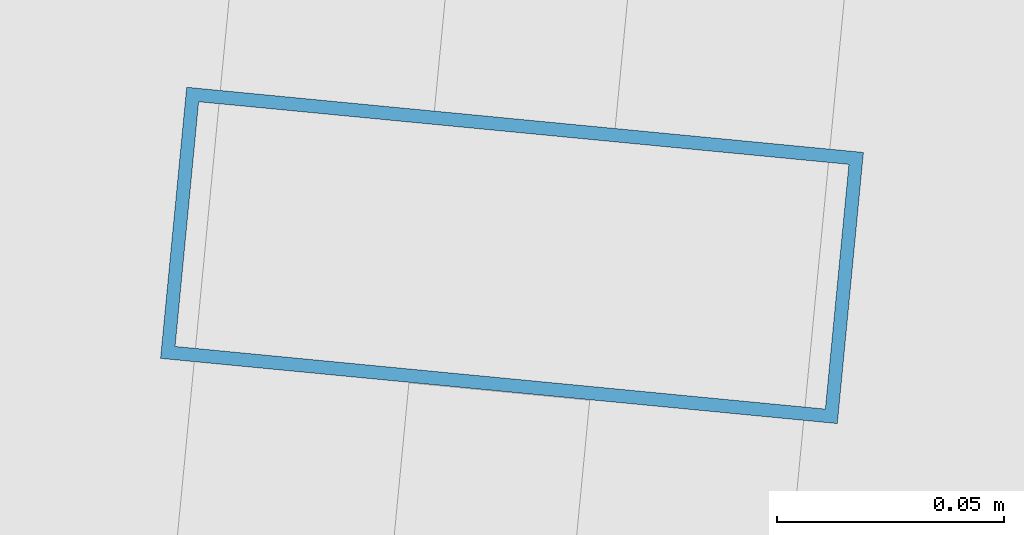
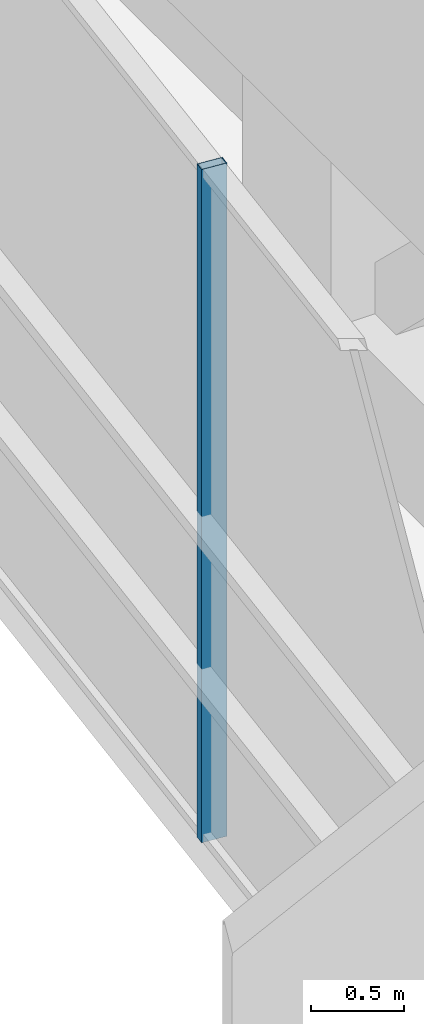
# One storey, part 12 of 31: 1 member, 1 element without a shape of its own.
"""IFC4 building model written with IfcOpenShell, lengths in metres."""

from ifc_helpers import new_model, si_unit, direction, frame, origin, origin_2d, place, context, subcontext, project, spatial, hollow_rectangle, extrude, source, transform, mapped, material, layer, layer_set, material_profile, profile_set, type_object, element, aggregate, save


model = new_model("IFC4")

# Units and contexts
model_context = context("Model", 3, precision=1e-05, world=origin(), true_north=direction((0.0, 1.0)))
body_context = subcontext(model_context, "Body", "Model", "MODEL_VIEW")
ifc_project = project(units=[si_unit("LENGTHUNIT", "METRE"), si_unit("AREAUNIT", "SQUARE_METRE"), si_unit("VOLUMEUNIT", "CUBIC_METRE"), si_unit("PLANEANGLEUNIT", "RADIAN"), si_unit("MASSUNIT", "GRAM", prefix="KILO")], contexts=[model_context])

# Site, building, storey
site_placement = place(None, origin())
site = spatial("IfcSite", under=ifc_project, at=site_placement, CompositionType="ELEMENT")
building_placement = place(site_placement, origin())
building = spatial("IfcBuilding", under=site, at=building_placement, Name="Veraguas Prism Commons", CompositionType="ELEMENT")
storey_placement = place(building_placement, frame((0.0, 0.0, 225.39990234375)))
storey = spatial("IfcBuildingStorey", under=building, at=storey_placement, Name="L64", CompositionType="ELEMENT", Elevation=225.39990234375)

# Curtain wall, member
ifc_material = material(Name="Anodised aluminium EN AW-6063 T6", Category="aluminium")
ifc_layer = layer(ifc_material, 0.14990234375, Name="Unitised Flush Curtain Wall Zone 3", Category="aluminium")
ifc_layer_set = layer_set([ifc_layer], Name="Anodised aluminium EN AW-6063 T6")
curtain_wall_type = type_object("IfcCurtainWallType", Name="Unitised Flush Curtain Wall Zone 3", PredefinedType="NOTDEFINED", material=ifc_layer_set)
curtain_wall_placement = place(storey_placement, origin())
curtain_wall = element("IfcCurtainWall", 1, at=curtain_wall_placement, inside=storey, type_object=curtain_wall_type, Name="Tower Facade Curtain Wall L64-F3", PredefinedType="NOTDEFINED")
ifc_material_profile = material_profile(ifc_material, hollow_rectangle(XDim=0.06005859375, YDim=0.14990234375, WallThickness=0.0029296875, at=origin_2d()), Name="AL60X150X3")
ifc_profile_set = profile_set([ifc_material_profile], Name="Anodised aluminium EN AW-6063 T6")
member_type = type_object("IfcMemberType", Name="Curtain Wall Mullion Upper AL 60x150x3", PredefinedType="MULLION", material=ifc_profile_set)
shared_shape = source(origin(), body_context, "Body", "SweptSolid", [
    extrude(hollow_rectangle(XDim=0.06005859375, YDim=0.14990234375, WallThickness=0.0029296875, at=origin_2d()), origin(), (0.0, 0.0, 1.0), 4.4150390625),
])
member_placement = place(storey_placement, frame((6.371337890625, 25.697509765625, 0.0), z_axis=(0.0, 0.0, 1.0), x_axis=(-0.095840540637, -0.995396700201, 0.0)))
member = element("IfcMember", 2, at=member_placement, type_object=member_type, Name="CW-Z3 Mullion 3", PredefinedType="MULLION", context=body_context, shape_type="MappedRepresentation", body=[
    mapped(shared_shape, transform((0.0, 0.0, 0.0), scale=1.0)),
])
aggregate(curtain_wall, [member])

save(model, "model.ifc")
